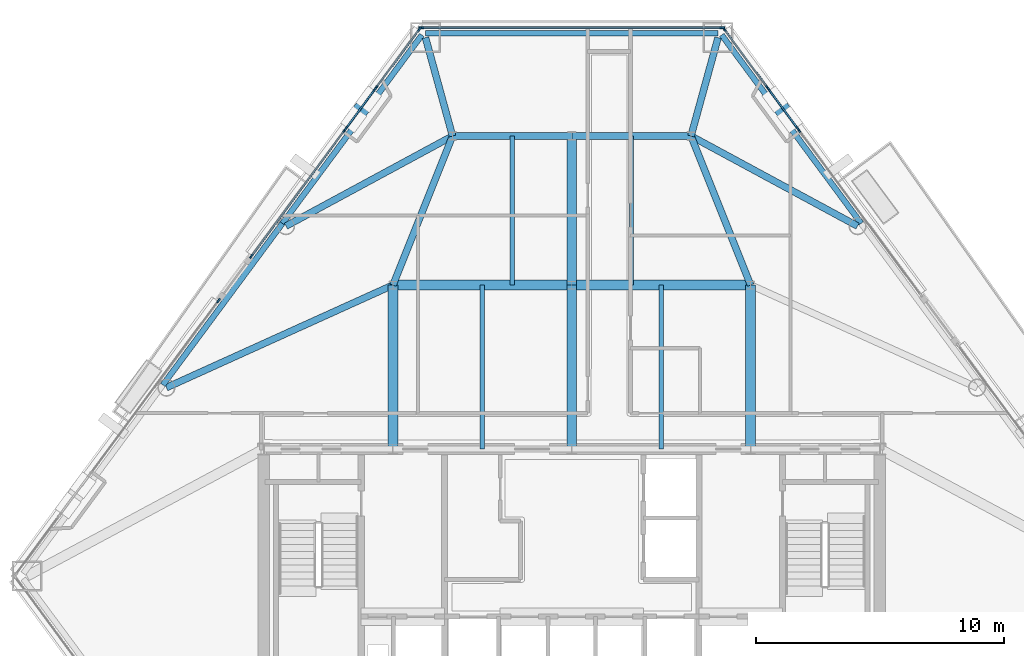
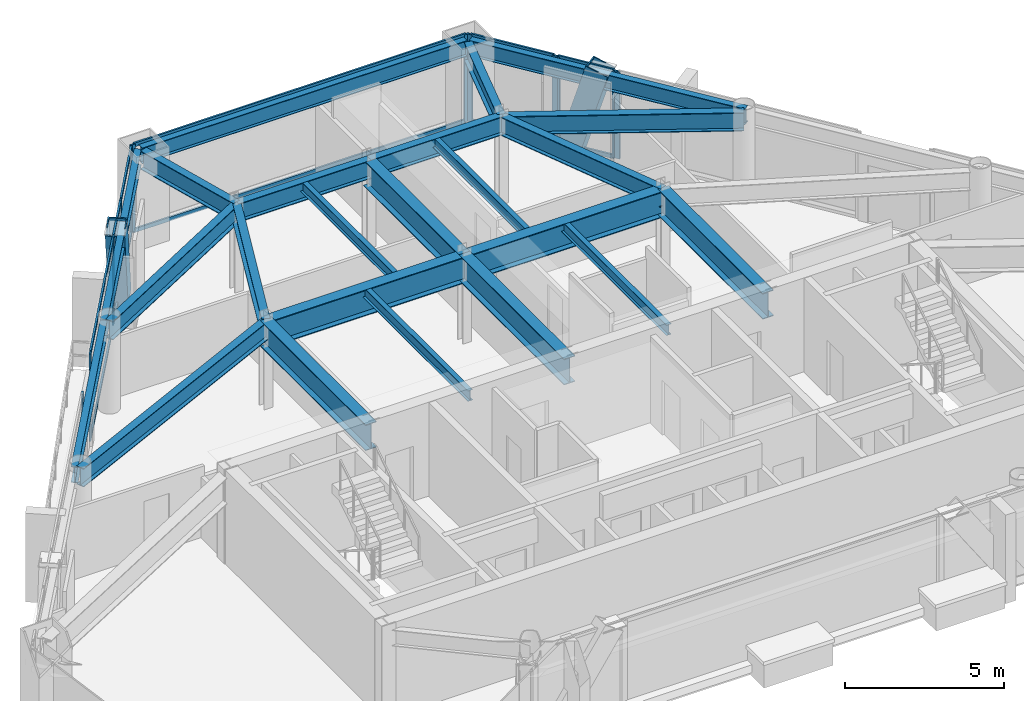
# One storey, part 4 of 11: 28 members, 23 beams, 8 elements without a shape of their own.
"""IFC4 building model written with IfcOpenShell, lengths in metres."""

from ifc_helpers import new_model, si_unit, direction, frame, origin, origin_2d, place, context, subcontext, project, spatial, rectangle, hollow_rectangle, i_section, extrude, material, layer, layer_set, material_profile, profile_set, type_object, element, aggregate, save


model = new_model("IFC4")

# Units and contexts
model_context = context("Model", 3, precision=1e-05, world=origin(), true_north=direction((0.0, 1.0)))
body_context = subcontext(model_context, "Body", "Model", "MODEL_VIEW")
ifc_project = project(units=[si_unit("LENGTHUNIT", "METRE"), si_unit("AREAUNIT", "SQUARE_METRE"), si_unit("VOLUMEUNIT", "CUBIC_METRE"), si_unit("PLANEANGLEUNIT", "RADIAN"), si_unit("MASSUNIT", "GRAM", prefix="KILO")], contexts=[model_context])

# Site, building, storey
site_placement = place(None, origin())
site = spatial("IfcSite", under=ifc_project, at=site_placement, CompositionType="ELEMENT")
building_placement = place(site_placement, origin())
building = spatial("IfcBuilding", under=site, at=building_placement, Name="Talgorran Terracotta Tower", CompositionType="ELEMENT")
storey_placement = place(building_placement, frame((0.0, 0.0, 103.199951171875)))
storey = spatial("IfcBuildingStorey", under=building, at=storey_placement, Name="L26", CompositionType="ELEMENT", Elevation=103.199951171875)

# Beams
ifc_material_1 = material(Name="Steel Grade 350 (350L0)", Category="steel")
ifc_material_profile_1 = material_profile(ifc_material_1, i_section(OverallWidth=0.39990234375, OverallDepth=1.0, WebThickness=0.01611328125, FlangeThickness=0.031005859375, at=origin_2d()), Name="1000WB296")
ifc_profile_set_1 = profile_set([ifc_material_profile_1], Name="Steel Grade 350 (350L0)")
beam_type_1 = type_object("IfcBeamType", Name="BM_1000WB296", PredefinedType="BEAM", material=ifc_profile_set_1)
for number, where, z_axis, x_axis, name in (
    (1, (-7.199951171875, -4.199951171875, 2.85009765625), (0.0, 1.0, 0.0), (-1.0, 0.0, 0.0), "L26 Floor Girder G01"),
    (2, (0.0, -4.199951171875, 2.85009765625), (0.0, 1.0, 0.0), (-1.0, 0.0, 0.0), "L26 Floor Girder G02"),
    (3, (7.199951171875, -4.199951171875, 2.85009765625), (0.0, 1.0, 0.0), (-1.0, 0.0, 0.0), "L26 Floor Girder G03"),
):
    element("IfcBeam", number, at=place(storey_placement, frame(where, z_axis=z_axis, x_axis=x_axis)), inside=storey, type_object=beam_type_1, Name=name, PredefinedType="BEAM", context=body_context, shape_type="SweptSolid", body=[
        extrude(i_section(OverallWidth=0.39990234375, OverallDepth=1.0, WebThickness=0.01611328125, FlangeThickness=0.031005859375, at=origin_2d()), origin(), (0.0, 0.0, 1.0), 6.599853515625),
    ])
for number, where, z_axis, x_axis, name in (
    (4, (-7.199951171875, 2.39990234375, 2.85009765625), (1.0, 0.0, 0.0), (0.0, 1.0, 0.0), "L26 Floor Girder G04"),
    (5, (0.0, 2.39990234375, 2.85009765625), (1.0, 0.0, 0.0), (0.0, 1.0, 0.0), "L26 Floor Girder G05"),
):
    element("IfcBeam", number, at=place(storey_placement, frame(where, z_axis=z_axis, x_axis=x_axis)), inside=storey, type_object=beam_type_1, Name=name, PredefinedType="BEAM", context=body_context, shape_type="SweptSolid", body=[
        extrude(i_section(OverallWidth=0.39990234375, OverallDepth=1.0, WebThickness=0.01611328125, FlangeThickness=0.031005859375, at=origin_2d()), origin(), (0.0, 0.0, 1.0), 7.199951171875),
    ])
beam_1_placement = place(storey_placement, frame((0.0, 2.39990234375, 2.85009765625), z_axis=(0.0, 1.0, 0.0), x_axis=(-1.0, 0.0, 0.0)))
element("IfcBeam", 6, at=beam_1_placement, inside=storey, type_object=beam_type_1, Name="L26 Floor Girder G09", PredefinedType="BEAM", context=body_context, shape_type="SweptSolid", body=[
    extrude(i_section(OverallWidth=0.39990234375, OverallDepth=1.0, WebThickness=0.01611328125, FlangeThickness=0.031005859375, at=origin_2d()), origin(), (0.0, 0.0, 1.0), 6.0),
])
ifc_material_2 = material(Name="Steel S355 (300PLUS)", Category="steel")
ifc_material_profile_2 = material_profile(ifc_material_2, i_section(OverallWidth=0.27490234375, OverallDepth=0.7080078125, WebThickness=0.011962890625, FlangeThickness=0.02490234375, at=origin_2d()), Name="700WB173")
ifc_profile_set_2 = profile_set([ifc_material_profile_2], Name="Steel S355 (300PLUS)")
beam_type_2 = type_object("IfcBeamType", Name="BM_700WB173", PredefinedType="BEAM", material=ifc_profile_set_2)
beam_2_placement = place(storey_placement, frame((-7.199951171875, 2.39990234375, 2.99609375), z_axis=(-0.910987725051, -0.412433467126, 0.0), x_axis=(0.412433467126, -0.910987725051, 0.0)))
element("IfcBeam", 7, at=beam_2_placement, inside=storey, type_object=beam_type_2, Name="L26 Floor Girder G06", PredefinedType="BEAM", context=body_context, shape_type="SweptSolid", body=[
    extrude(i_section(OverallWidth=0.27490234375, OverallDepth=0.7080078125, WebThickness=0.011962890625, FlangeThickness=0.02490234375, at=origin_2d()), origin(), (0.0, 0.0, 1.0), 10.010009765625),
])
for number, where, z_axis, x_axis, name in (
    (8, (-7.199951171875, 2.39990234375, 2.99609375), (0.371377648723, 0.928481901832, 0.0), (-0.928481901832, 0.371377648723, 0.0), "L26 Floor Girder G08"),
    (9, (7.199951171875, 2.39990234375, 2.99609375), (-0.371377648723, 0.928481901832, 0.0), (-0.928481901832, -0.371377648723, 0.0), "L26 Floor Girder G10"),
):
    element("IfcBeam", number, at=place(storey_placement, frame(where, z_axis=z_axis, x_axis=x_axis)), inside=storey, type_object=beam_type_2, Name=name, PredefinedType="BEAM", context=body_context, shape_type="SweptSolid", body=[
        extrude(i_section(OverallWidth=0.27490234375, OverallDepth=0.7080078125, WebThickness=0.011962890625, FlangeThickness=0.02490234375, at=origin_2d()), origin(), (0.0, 0.0, 1.0), 6.462158203125),
    ])
for number, where, z_axis, x_axis, name in (
    (10, (-4.800048828125, 8.39990234375, 2.99609375), (1.0, 0.0, 0.0), (0.0, 1.0, 0.0), "L26 Floor Girder G11"),
    (11, (0.0, 8.39990234375, 2.99609375), (1.0, 0.0, 0.0), (0.0, 1.0, 0.0), "L26 Floor Girder G12"),
):
    element("IfcBeam", number, at=place(storey_placement, frame(where, z_axis=z_axis, x_axis=x_axis)), inside=storey, type_object=beam_type_2, Name=name, PredefinedType="BEAM", context=body_context, shape_type="SweptSolid", body=[
        extrude(i_section(OverallWidth=0.27490234375, OverallDepth=0.7080078125, WebThickness=0.011962890625, FlangeThickness=0.02490234375, at=origin_2d()), origin(), (0.0, 0.0, 1.0), 4.800048828125),
    ])
for number, where, z_axis, x_axis, name in (
    (12, (-4.800048828125, 8.39990234375, 2.99609375), (-0.879686234895, -0.475554548013, 0.0), (0.475554548013, -0.879686234895, 0.0), "L26 Floor Girder G13"),
    (13, (4.800048828125, 8.39990234375, 2.99609375), (0.879686234895, -0.475554548013, 0.0), (0.475554548013, 0.879686234895, 0.0), "L26 Floor Girder G14"),
):
    element("IfcBeam", number, at=place(storey_placement, frame(where, z_axis=z_axis, x_axis=x_axis)), inside=storey, type_object=beam_type_2, Name=name, PredefinedType="BEAM", context=body_context, shape_type="SweptSolid", body=[
        extrude(i_section(OverallWidth=0.27490234375, OverallDepth=0.7080078125, WebThickness=0.011962890625, FlangeThickness=0.02490234375, at=origin_2d()), origin(), (0.0, 0.0, 1.0), 7.62255859375),
    ])
for number, where, z_axis, x_axis, name in (
    (14, (-4.800048828125, 8.39990234375, 2.99609375), (-0.265197906228, 0.964194000465, 0.0), (-0.964194000465, -0.265197906228, 0.0), "L26 Floor Girder G15"),
    (15, (4.800048828125, 8.39990234375, 2.99609375), (0.265197906228, 0.964194000465, 0.0), (-0.964194000465, 0.265197906228, 0.0), "L26 Floor Girder G16"),
):
    element("IfcBeam", number, at=place(storey_placement, frame(where, z_axis=z_axis, x_axis=x_axis)), inside=storey, type_object=beam_type_2, Name=name, PredefinedType="BEAM", context=body_context, shape_type="SweptSolid", body=[
        extrude(i_section(OverallWidth=0.27490234375, OverallDepth=0.7080078125, WebThickness=0.011962890625, FlangeThickness=0.02490234375, at=origin_2d()), origin(), (0.0, 0.0, 1.0), 4.109619140625),
    ])
ifc_material_profile_3 = material_profile(ifc_material_2, i_section(OverallWidth=0.177734375, OverallDepth=0.406494140625, WebThickness=0.0078125, FlangeThickness=0.0126953125, at=origin_2d()), Name="410UB59.7")
ifc_profile_set_3 = profile_set([ifc_material_profile_3], Name="Steel S355 (300PLUS)")
beam_type_3 = type_object("IfcBeamType", Name="BM_JS_410UB60", PredefinedType="JOIST", material=ifc_profile_set_3)
for number, where, z_axis, x_axis, name in (
    (16, (-3.60009765625, -4.199951171875, 3.146728515625), (0.0, 1.0, 0.0), (-1.0, 0.0, 0.0), "L26 Secondary Joist J01"),
    (17, (3.60009765625, -4.199951171875, 3.146728515625), (0.0, 1.0, 0.0), (-1.0, 0.0, 0.0), "L26 Secondary Joist J02"),
):
    element("IfcBeam", number, at=place(storey_placement, frame(where, z_axis=z_axis, x_axis=x_axis)), inside=storey, type_object=beam_type_3, Name=name, PredefinedType="JOIST", context=body_context, shape_type="SweptSolid", body=[
        extrude(i_section(OverallWidth=0.177734375, OverallDepth=0.406494140625, WebThickness=0.0078125, FlangeThickness=0.0126953125, at=origin_2d()), origin(), (0.0, 0.0, 1.0), 6.599853515625),
    ])
for number, where, z_axis, x_axis, name in (
    (18, (-2.39990234375, 2.39990234375, 3.146728515625), (0.0, 1.0, 0.0), (-1.0, 0.0, 0.0), "L26 Secondary Joist J03"),
    (19, (2.39990234375, 2.39990234375, 3.146728515625), (0.0, 1.0, 0.0), (-1.0, 0.0, 0.0), "L26 Secondary Joist J04"),
):
    element("IfcBeam", number, at=place(storey_placement, frame(where, z_axis=z_axis, x_axis=x_axis)), inside=storey, type_object=beam_type_3, Name=name, PredefinedType="JOIST", context=body_context, shape_type="SweptSolid", body=[
        extrude(i_section(OverallWidth=0.177734375, OverallDepth=0.406494140625, WebThickness=0.0078125, FlangeThickness=0.0126953125, at=origin_2d()), origin(), (0.0, 0.0, 1.0), 6.0),
    ])
ifc_material_profile_4 = material_profile(ifc_material_2, i_section(OverallWidth=0.22900390625, OverallDepth=0.611572265625, WebThickness=0.011962890625, FlangeThickness=0.01953125, at=origin_2d()), Name="610UB125")
ifc_profile_set_4 = profile_set([ifc_material_profile_4], Name="Steel S355 (300PLUS)")
beam_type_4 = type_object("IfcBeamType", Name="BM_SP_610UB125", PredefinedType="SPANDREL", material=ifc_profile_set_4)
beam_3_placement = place(storey_placement, frame((11.650146484375, 4.882080078125, 3.044189453125), z_axis=(-0.594910188286, 0.80379217953, 0.0), x_axis=(-0.80379217953, -0.594910188286, 0.0)))
element("IfcBeam", 20, at=beam_3_placement, inside=storey, type_object=beam_type_4, Name="L26 Perimeter Spandrel Beam FC4-MC5", PredefinedType="SPANDREL", context=body_context, shape_type="SweptSolid", body=[
    extrude(i_section(OverallWidth=0.22900390625, OverallDepth=0.611572265625, WebThickness=0.011962890625, FlangeThickness=0.01953125, at=origin_2d()), origin(), (0.0, 0.0, 1.0), 9.439208984375),
])
beam_4_placement = place(storey_placement, frame((5.889892578125, 12.542236328125, 3.044189453125), z_axis=(-1.0, 0.0, 0.0), x_axis=(0.0, -1.0, 0.0)))
element("IfcBeam", 21, at=beam_4_placement, inside=storey, type_object=beam_type_4, Name="L26 Perimeter Spandrel Beam MC5-MC6", PredefinedType="SPANDREL", context=body_context, shape_type="SweptSolid", body=[
    extrude(i_section(OverallWidth=0.22900390625, OverallDepth=0.611572265625, WebThickness=0.011962890625, FlangeThickness=0.01953125, at=origin_2d()), origin(), (0.0, 0.0, 1.0), 11.77978515625),
])
beam_5_placement = place(storey_placement, frame((-6.03466796875, 12.46923828125, 3.044189453125), z_axis=(-0.594910188286, -0.80379217953, 0.0), x_axis=(0.80379217953, -0.594910188286, 0.0)))
element("IfcBeam", 22, at=beam_5_placement, inside=storey, type_object=beam_type_4, Name="L26 Perimeter Spandrel Beam MC6-FC5", PredefinedType="SPANDREL", context=body_context, shape_type="SweptSolid", body=[
    extrude(i_section(OverallWidth=0.22900390625, OverallDepth=0.611572265625, WebThickness=0.011962890625, FlangeThickness=0.01953125, at=origin_2d()), origin(), (0.0, 0.0, 1.0), 9.439208984375),
])
beam_6_placement = place(storey_placement, frame((-11.650146484375, 4.882080078125, 3.044189453125), z_axis=(-0.594899157913, -0.803800343316, 0.0), x_axis=(0.803800343316, -0.594899157913, 0.0)))
element("IfcBeam", 23, at=beam_6_placement, inside=storey, type_object=beam_type_4, Name="L26 Perimeter Spandrel Beam FC5-FC6", PredefinedType="SPANDREL", context=body_context, shape_type="SweptSolid", body=[
    extrude(i_section(OverallWidth=0.22900390625, OverallDepth=0.611572265625, WebThickness=0.011962890625, FlangeThickness=0.01953125, at=origin_2d()), origin(), (0.0, 0.0, 1.0), 8.0908203125),
])

# Members
ifc_material_profile_5 = material_profile(ifc_material_1, hollow_rectangle(XDim=0.6201171875, YDim=0.780029296875, WallThickness=0.0419921875, at=origin_2d()), Name="WBOX780X620X42")
ifc_profile_set_5 = profile_set([ifc_material_profile_5], Name="Steel Grade 350 (350L0)")
member_type_1 = type_object("IfcMemberType", Name="MB_MEGA_780", PredefinedType="BRACE", material=ifc_profile_set_5)
for number, where, z_axis, x_axis, name in (
    (24, (8.175537109375, 9.87939453125, -0.02490234375), (0.17009895809, -0.229826262144, 0.958251654674), (0.803795867717, 0.594905205089, 0.0), "L26 Exterior Face Mega-Brace MB-2 (NEU)"),
    (25, (-8.175537109375, 9.87939453125, -0.02490234375), (-0.17009895809, -0.229826262144, 0.958251654674), (0.803795867717, -0.594905205089, 0.0), "L26 Exterior Face Mega-Brace MB-2 (NWU)"),
):
    element("IfcMember", number, at=place(storey_placement, frame(where, z_axis=z_axis, x_axis=x_axis)), inside=storey, type_object=member_type_1, Name=name, PredefinedType="BRACE", context=body_context, shape_type="SweptSolid", body=[
        extrude(hollow_rectangle(XDim=0.6201171875, YDim=0.780029296875, WallThickness=0.0419921875, at=origin_2d()), origin(), (0.0, 0.0, 1.0), 3.548095703125),
    ])

# Curtain wall, member
ifc_material_3 = material(Name="Unitised Low-E Double Glazing", Category="glass")
ifc_layer = layer(ifc_material_3, 0.199951171875, Name="CW_SYS2_RES_LOW")
ifc_layer_set = layer_set([ifc_layer], Name="Unitised Low-E Double Glazing")
curtain_wall_type = type_object("IfcCurtainWallType", Name="CW_SYS2_RES_LOW", PredefinedType="NOTDEFINED", material=ifc_layer_set)
curtain_wall_1_placement = place(storey_placement, origin())
curtain_wall_1 = element("IfcCurtainWall", 26, at=curtain_wall_1_placement, inside=storey, type_object=curtain_wall_type, Name="CW-L26-F41", PredefinedType="NOTDEFINED")
ifc_material_4 = material(Name="Architectural Aluminium 6063-T6", Category="aluminium")
ifc_material_profile_6 = material_profile(ifc_material_4, rectangle(XDim=0.06494140625, YDim=0.18505859375, at=origin_2d()), Name="CWM65X185")
ifc_profile_set_6 = profile_set([ifc_material_profile_6], Name="Architectural Aluminium 6063-T6")
member_type_2 = type_object("IfcMemberType", Name="MUL_65X185", PredefinedType="MULLION", material=ifc_profile_set_6)
member_1_placement = place(storey_placement, frame((9.14501953125, 8.636474609375, 0.0), z_axis=(0.0, 0.0, 1.0), x_axis=(-0.803792554827, -0.594909681216, 0.0)))
member_1 = element("IfcMember", 27, at=member_1_placement, type_object=member_type_2, Name="CW-L26-41 mullion 2", PredefinedType="MULLION", context=body_context, shape_type="SweptSolid", body=[
    extrude(rectangle(XDim=0.06494140625, YDim=0.18505859375, at=origin_2d()), origin(), (0.0, 0.0, 1.0), 3.35009765625),
])
aggregate(curtain_wall_1, [member_1])

# Curtain wall, members
curtain_wall_2_placement = place(storey_placement, origin())
curtain_wall_2 = element("IfcCurtainWall", 28, at=curtain_wall_2_placement, inside=storey, type_object=curtain_wall_type, Name="CW-L26-F41B", PredefinedType="NOTDEFINED")
member_2_placement = place(storey_placement, frame((9.1005859375, 8.69677734375, 0.0), z_axis=(0.0, 0.0, 1.0), x_axis=(-0.803791095185, -0.594911653358, 0.0)))
member_2 = element("IfcMember", 29, at=member_2_placement, type_object=member_type_2, Name="CW-L26-41B mullion 1", PredefinedType="MULLION", context=body_context, shape_type="SweptSolid", body=[
    extrude(rectangle(XDim=0.06494140625, YDim=0.18505859375, at=origin_2d()), origin(), (0.0, 0.0, 1.0), 3.35009765625),
])
member_3_placement = place(storey_placement, frame((7.91845703125, 10.2939453125, 0.0), z_axis=(0.0, 0.0, 1.0), x_axis=(-0.803791095185, -0.594911653358, 0.0)))
member_3 = element("IfcMember", 30, at=member_3_placement, type_object=member_type_2, Name="CW-L26-41B mullion 2", PredefinedType="MULLION", context=body_context, shape_type="SweptSolid", body=[
    extrude(rectangle(XDim=0.06494140625, YDim=0.18505859375, at=origin_2d()), origin(), (0.0, 0.0, 1.0), 3.35009765625),
])

curtain_wall_3_placement = place(storey_placement, origin())
curtain_wall_3 = element("IfcCurtainWall", 31, at=curtain_wall_3_placement, inside=storey, type_object=curtain_wall_type, Name="CW-L26-F41C", PredefinedType="NOTDEFINED")
member_4_placement = place(storey_placement, frame((7.873779296875, 10.35400390625, 0.0), z_axis=(0.0, 0.0, 1.0), x_axis=(-0.803790693512, -0.594912196062, 0.0)))
member_4 = element("IfcMember", 32, at=member_4_placement, type_object=member_type_2, Name="CW-L26-41C mullion 1", PredefinedType="MULLION", context=body_context, shape_type="SweptSolid", body=[
    extrude(rectangle(XDim=0.06494140625, YDim=0.18505859375, at=origin_2d()), origin(), (0.0, 0.0, 1.0), 3.35009765625),
])
member_5_placement = place(storey_placement, frame((6.134765625, 12.703857421875, 0.0), z_axis=(0.0, 0.0, 1.0), x_axis=(-0.803790693512, -0.594912196062, 0.0)))
member_5 = element("IfcMember", 33, at=member_5_placement, type_object=member_type_2, Name="CW-L26-41C mullion 2", PredefinedType="MULLION", context=body_context, shape_type="SweptSolid", body=[
    extrude(rectangle(XDim=0.06494140625, YDim=0.18505859375, at=origin_2d()), origin(), (0.0, 0.0, 1.0), 3.35009765625),
])

curtain_wall_4_placement = place(storey_placement, origin())
curtain_wall_4 = element("IfcCurtainWall", 34, at=curtain_wall_4_placement, inside=storey, type_object=curtain_wall_type, Name="CW-L26-F4", PredefinedType="NOTDEFINED")
member_6_placement = place(storey_placement, frame((6.05908203125, 12.76220703125, 0.0), z_axis=(0.0, 0.0, 1.0), x_axis=(0.0, -1.0, 0.0)))
member_6 = element("IfcMember", 35, at=member_6_placement, type_object=member_type_2, Name="CW-L26-4 mullion 1", PredefinedType="MULLION", context=body_context, shape_type="SweptSolid", body=[
    extrude(rectangle(XDim=0.06494140625, YDim=0.18505859375, at=origin_2d()), origin(), (0.0, 0.0, 1.0), 3.35009765625),
])
member_7_placement = place(storey_placement, frame((-6.05908203125, 12.76220703125, 0.0), z_axis=(0.0, 0.0, 1.0), x_axis=(0.0, -1.0, 0.0)))
member_7 = element("IfcMember", 36, at=member_7_placement, type_object=member_type_2, Name="CW-L26-4 mullion 2", PredefinedType="MULLION", context=body_context, shape_type="SweptSolid", body=[
    extrude(rectangle(XDim=0.06494140625, YDim=0.18505859375, at=origin_2d()), origin(), (0.0, 0.0, 1.0), 3.35009765625),
])

curtain_wall_5_placement = place(storey_placement, origin())
curtain_wall_5 = element("IfcCurtainWall", 37, at=curtain_wall_5_placement, inside=storey, type_object=curtain_wall_type, Name="CW-L26-F60", PredefinedType="NOTDEFINED")
member_8_placement = place(storey_placement, frame((-6.134765625, 12.703857421875, 0.0), z_axis=(0.0, 0.0, 1.0), x_axis=(0.803806695233, -0.594890575399, 0.0)))
member_8 = element("IfcMember", 38, at=member_8_placement, type_object=member_type_2, Name="CW-L26-60 mullion 1", PredefinedType="MULLION", context=body_context, shape_type="SweptSolid", body=[
    extrude(rectangle(XDim=0.06494140625, YDim=0.18505859375, at=origin_2d()), origin(), (0.0, 0.0, 1.0), 3.35009765625),
])
member_9_placement = place(storey_placement, frame((-7.873779296875, 10.35400390625, 0.0), z_axis=(0.0, 0.0, 1.0), x_axis=(0.803806695233, -0.594890575399, 0.0)))
member_9 = element("IfcMember", 39, at=member_9_placement, type_object=member_type_2, Name="CW-L26-60 mullion 2", PredefinedType="MULLION", context=body_context, shape_type="SweptSolid", body=[
    extrude(rectangle(XDim=0.06494140625, YDim=0.18505859375, at=origin_2d()), origin(), (0.0, 0.0, 1.0), 3.35009765625),
])

curtain_wall_6_placement = place(storey_placement, origin())
curtain_wall_6 = element("IfcCurtainWall", 40, at=curtain_wall_6_placement, inside=storey, type_object=curtain_wall_type, Name="CW-L26-F60B", PredefinedType="NOTDEFINED")
member_10_placement = place(storey_placement, frame((-7.91845703125, 10.2939453125, 0.0), z_axis=(0.0, 0.0, 1.0), x_axis=(0.803791095185, -0.594911653358, 0.0)))
member_10 = element("IfcMember", 41, at=member_10_placement, type_object=member_type_2, Name="CW-L26-60B mullion 1", PredefinedType="MULLION", context=body_context, shape_type="SweptSolid", body=[
    extrude(rectangle(XDim=0.06494140625, YDim=0.18505859375, at=origin_2d()), origin(), (0.0, 0.0, 1.0), 3.35009765625),
])
member_11_placement = place(storey_placement, frame((-9.1005859375, 8.69677734375, 0.0), z_axis=(0.0, 0.0, 1.0), x_axis=(0.803791095185, -0.594911653358, 0.0)))
member_11 = element("IfcMember", 42, at=member_11_placement, type_object=member_type_2, Name="CW-L26-60B mullion 2", PredefinedType="MULLION", context=body_context, shape_type="SweptSolid", body=[
    extrude(rectangle(XDim=0.06494140625, YDim=0.18505859375, at=origin_2d()), origin(), (0.0, 0.0, 1.0), 3.35009765625),
])

curtain_wall_7_placement = place(storey_placement, origin())
curtain_wall_7 = element("IfcCurtainWall", 43, at=curtain_wall_7_placement, inside=storey, type_object=curtain_wall_type, Name="CW-L26-F60C", PredefinedType="NOTDEFINED")
member_12_placement = place(storey_placement, frame((-9.14501953125, 8.636474609375, 0.0), z_axis=(0.0, 0.0, 1.0), x_axis=(0.803797367103, -0.594903179214, 0.0)))
member_12 = element("IfcMember", 44, at=member_12_placement, type_object=member_type_2, Name="CW-L26-60C mullion 1", PredefinedType="MULLION", context=body_context, shape_type="SweptSolid", body=[
    extrude(rectangle(XDim=0.06494140625, YDim=0.18505859375, at=origin_2d()), origin(), (0.0, 0.0, 1.0), 3.35009765625),
])
member_13_placement = place(storey_placement, frame((-12.90087890625, 3.56201171875, 0.0), z_axis=(0.0, 0.0, 1.0), x_axis=(0.803797367103, -0.594903179214, 0.0)))
member_13 = element("IfcMember", 45, at=member_13_placement, type_object=member_type_2, Name="CW-L26-60C mullion 2", PredefinedType="MULLION", context=body_context, shape_type="SweptSolid", body=[
    extrude(rectangle(XDim=0.06494140625, YDim=0.18505859375, at=origin_2d()), origin(), (0.0, 0.0, 1.0), 3.35009765625),
])

# Curtain wall, member
curtain_wall_8_placement = place(storey_placement, origin())
curtain_wall_8 = element("IfcCurtainWall", 46, at=curtain_wall_8_placement, inside=storey, type_object=curtain_wall_type, Name="CW-L26-F61", PredefinedType="NOTDEFINED")
member_14_placement = place(storey_placement, frame((-14.224609375, 1.7734375, 0.0), z_axis=(0.0, 0.0, 1.0), x_axis=(0.803792209183, -0.594910148221, 0.0)))
member_14 = element("IfcMember", 47, at=member_14_placement, type_object=member_type_2, Name="CW-L26-61 mullion 1", PredefinedType="MULLION", context=body_context, shape_type="SweptSolid", body=[
    extrude(rectangle(XDim=0.06494140625, YDim=0.18505859375, at=origin_2d()), origin(), (0.0, 0.0, 1.0), 3.35009765625),
])
aggregate(curtain_wall_8, [member_14])

# Member
ifc_material_profile_7 = material_profile(ifc_material_4, rectangle(XDim=0.06494140625, YDim=0.14990234375, at=origin_2d()), Name="CWT65X150")
ifc_profile_set_7 = profile_set([ifc_material_profile_7], Name="Architectural Aluminium 6063-T6")
member_type_3 = type_object("IfcMemberType", Name="TRN_65X150", PredefinedType="USERDEFINED", material=ifc_profile_set_7)
member_15_placement = place(storey_placement, frame((9.0810546875, 8.722900390625, 0.032470703125), z_axis=(-0.59486598751, 0.803824891941, 0.0), x_axis=(-0.803824891941, -0.59486598751, 0.0)))
member_15 = element("IfcMember", 48, at=member_15_placement, type_object=member_type_3, Name="CW-L26-41B transom 1.1", ObjectType="TRANSOM", PredefinedType="USERDEFINED", context=body_context, shape_type="SweptSolid", body=[
    extrude(rectangle(XDim=0.06494140625, YDim=0.14990234375, at=origin_2d()), origin(), (0.0, 0.0, 1.0), 1.921875),
])

member_16_placement = place(storey_placement, frame((9.0810546875, 8.722900390625, 3.317626953125), z_axis=(-0.59486598751, 0.803824891941, 0.0), x_axis=(-0.803824891941, -0.59486598751, 0.0)))
member_16 = element("IfcMember", 49, at=member_16_placement, type_object=member_type_3, Name="CW-L26-41B transom 1.2", ObjectType="TRANSOM", PredefinedType="USERDEFINED", context=body_context, shape_type="SweptSolid", body=[
    extrude(rectangle(XDim=0.06494140625, YDim=0.14990234375, at=origin_2d()), origin(), (0.0, 0.0, 1.0), 1.921875),
])

aggregate(curtain_wall_2, [member_2, member_3, member_15, member_16])

member_17_placement = place(storey_placement, frame((7.8544921875, 10.380126953125, 0.032470703125), z_axis=(-0.594890467421, 0.803806775147, 0.0), x_axis=(-0.803806775147, -0.594890467421, 0.0)))
member_17 = element("IfcMember", 50, at=member_17_placement, type_object=member_type_3, Name="CW-L26-41C transom 1.1", ObjectType="TRANSOM", PredefinedType="USERDEFINED", context=body_context, shape_type="SweptSolid", body=[
    extrude(rectangle(XDim=0.06494140625, YDim=0.14990234375, at=origin_2d()), origin(), (0.0, 0.0, 1.0), 2.8583984375),
])

member_18_placement = place(storey_placement, frame((7.8544921875, 10.380126953125, 3.317626953125), z_axis=(-0.594890467421, 0.803806775147, 0.0), x_axis=(-0.803806775147, -0.594890467421, 0.0)))
member_18 = element("IfcMember", 51, at=member_18_placement, type_object=member_type_3, Name="CW-L26-41C transom 1.2", ObjectType="TRANSOM", PredefinedType="USERDEFINED", context=body_context, shape_type="SweptSolid", body=[
    extrude(rectangle(XDim=0.06494140625, YDim=0.14990234375, at=origin_2d()), origin(), (0.0, 0.0, 1.0), 2.8583984375),
])

aggregate(curtain_wall_3, [member_4, member_5, member_17, member_18])

member_19_placement = place(storey_placement, frame((6.026611328125, 12.76220703125, 0.032470703125), z_axis=(-1.0, 0.0, 0.0), x_axis=(0.0, -1.0, 0.0)))
member_19 = element("IfcMember", 52, at=member_19_placement, type_object=member_type_3, Name="CW-L26-4 transom 1.1", ObjectType="TRANSOM", PredefinedType="USERDEFINED", context=body_context, shape_type="SweptSolid", body=[
    extrude(rectangle(XDim=0.06494140625, YDim=0.14990234375, at=origin_2d()), origin(), (0.0, 0.0, 1.0), 12.05322265625),
])

member_20_placement = place(storey_placement, frame((6.026611328125, 12.76220703125, 3.317626953125), z_axis=(-1.0, 0.0, 0.0), x_axis=(0.0, -1.0, 0.0)))
member_20 = element("IfcMember", 53, at=member_20_placement, type_object=member_type_3, Name="CW-L26-4 transom 1.2", ObjectType="TRANSOM", PredefinedType="USERDEFINED", context=body_context, shape_type="SweptSolid", body=[
    extrude(rectangle(XDim=0.06494140625, YDim=0.14990234375, at=origin_2d()), origin(), (0.0, 0.0, 1.0), 12.05322265625),
])

aggregate(curtain_wall_4, [member_6, member_7, member_19, member_20])

member_21_placement = place(storey_placement, frame((-6.154052734375, 12.677734375, 0.032470703125), z_axis=(-0.594890467421, -0.803806775147, 0.0), x_axis=(0.803806775147, -0.594890467421, 0.0)))
member_21 = element("IfcMember", 54, at=member_21_placement, type_object=member_type_3, Name="CW-L26-60 transom 1.1", ObjectType="TRANSOM", PredefinedType="USERDEFINED", context=body_context, shape_type="SweptSolid", body=[
    extrude(rectangle(XDim=0.06494140625, YDim=0.14990234375, at=origin_2d()), origin(), (0.0, 0.0, 1.0), 2.8583984375),
])

member_22_placement = place(storey_placement, frame((-6.154052734375, 12.677734375, 3.317626953125), z_axis=(-0.594890467421, -0.803806775147, 0.0), x_axis=(0.803806775147, -0.594890467421, 0.0)))
member_22 = element("IfcMember", 55, at=member_22_placement, type_object=member_type_3, Name="CW-L26-60 transom 1.2", ObjectType="TRANSOM", PredefinedType="USERDEFINED", context=body_context, shape_type="SweptSolid", body=[
    extrude(rectangle(XDim=0.06494140625, YDim=0.14990234375, at=origin_2d()), origin(), (0.0, 0.0, 1.0), 2.8583984375),
])

aggregate(curtain_wall_5, [member_8, member_9, member_21, member_22])

member_23_placement = place(storey_placement, frame((-7.937744140625, 10.267822265625, 0.032470703125), z_axis=(-0.59486598751, -0.803824891941, 0.0), x_axis=(0.803824891941, -0.59486598751, 0.0)))
member_23 = element("IfcMember", 56, at=member_23_placement, type_object=member_type_3, Name="CW-L26-60B transom 1.1", ObjectType="TRANSOM", PredefinedType="USERDEFINED", context=body_context, shape_type="SweptSolid", body=[
    extrude(rectangle(XDim=0.06494140625, YDim=0.14990234375, at=origin_2d()), origin(), (0.0, 0.0, 1.0), 1.921875),
])

member_24_placement = place(storey_placement, frame((-7.937744140625, 10.267822265625, 3.317626953125), z_axis=(-0.59486598751, -0.803824891941, 0.0), x_axis=(0.803824891941, -0.59486598751, 0.0)))
member_24 = element("IfcMember", 57, at=member_24_placement, type_object=member_type_3, Name="CW-L26-60B transom 1.2", ObjectType="TRANSOM", PredefinedType="USERDEFINED", context=body_context, shape_type="SweptSolid", body=[
    extrude(rectangle(XDim=0.06494140625, YDim=0.14990234375, at=origin_2d()), origin(), (0.0, 0.0, 1.0), 1.921875),
])

aggregate(curtain_wall_6, [member_10, member_11, member_23, member_24])

member_25_placement = place(storey_placement, frame((-9.164306640625, 8.6103515625, 0.032470703125), z_axis=(-0.594930358892, -0.80377725028, 0.0), x_axis=(0.80377725028, -0.594930358892, 0.0)))
member_25 = element("IfcMember", 58, at=member_25_placement, type_object=member_type_3, Name="CW-L26-60C transom 1.1", ObjectType="TRANSOM", PredefinedType="USERDEFINED", context=body_context, shape_type="SweptSolid", body=[
    extrude(rectangle(XDim=0.06494140625, YDim=0.14990234375, at=origin_2d()), origin(), (0.0, 0.0, 1.0), 6.248291015625),
])

member_26_placement = place(storey_placement, frame((-9.164306640625, 8.6103515625, 3.317626953125), z_axis=(-0.594930358892, -0.80377725028, 0.0), x_axis=(0.80377725028, -0.594930358892, 0.0)))
member_26 = element("IfcMember", 59, at=member_26_placement, type_object=member_type_3, Name="CW-L26-60C transom 1.2", ObjectType="TRANSOM", PredefinedType="USERDEFINED", context=body_context, shape_type="SweptSolid", body=[
    extrude(rectangle(XDim=0.06494140625, YDim=0.14990234375, at=origin_2d()), origin(), (0.0, 0.0, 1.0), 6.248291015625),
])

aggregate(curtain_wall_7, [member_12, member_13, member_25, member_26])

save(model, "model.ifc")
